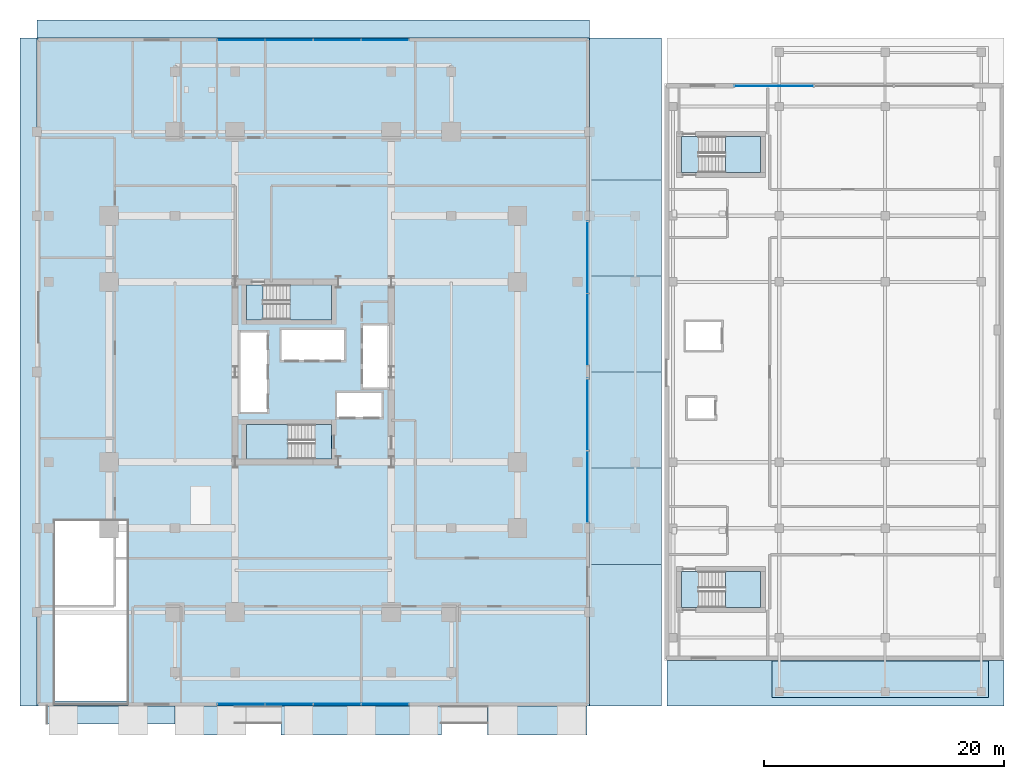
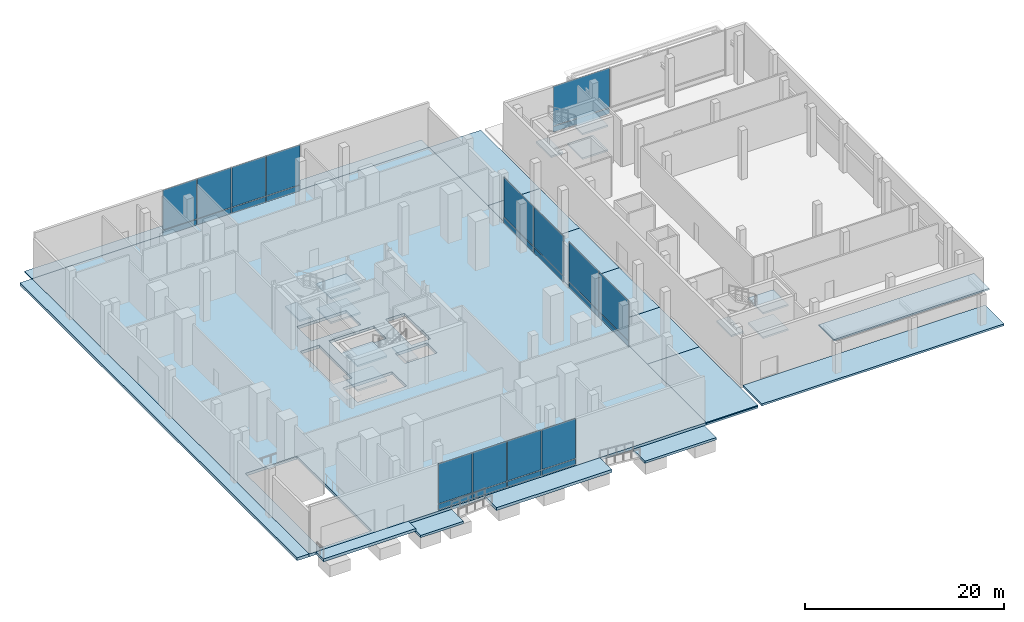
# One storey, part 23 of 34: 28 slabs, 26 plates, 9 elements without a shape of their own.
"""IFC4 building model written with IfcOpenShell, lengths in metres."""

from ifc_helpers import new_model, si_unit, direction, frame, origin, origin_2d, place, context, subcontext, project, spatial, polyline, rectangle, outline, extrude, material, layer, layer_set, type_object, element, aggregate, save


model = new_model("IFC4")

# Units and contexts
model_context = context("Model", 3, precision=1e-05, world=origin(), true_north=direction((0.0, 1.0)))
body_context = subcontext(model_context, "Body", "Model", "MODEL_VIEW")
ifc_project = project(units=[si_unit("LENGTHUNIT", "METRE"), si_unit("AREAUNIT", "SQUARE_METRE"), si_unit("VOLUMEUNIT", "CUBIC_METRE"), si_unit("PLANEANGLEUNIT", "RADIAN"), si_unit("MASSUNIT", "GRAM", prefix="KILO")], contexts=[model_context])

# Site, building, storey
site_placement = place(None, origin())
site = spatial("IfcSite", under=ifc_project, at=site_placement, CompositionType="ELEMENT")
building_placement = place(site_placement, origin())
building = spatial("IfcBuilding", under=site, at=building_placement, Name="Barlavira Tower and Art Museum", CompositionType="ELEMENT")
storey_placement = place(building_placement, origin())
storey = spatial("IfcBuildingStorey", under=building, at=storey_placement, Name="L00", CompositionType="ELEMENT", Elevation=0.0)

# Slab
ifc_material_1 = material(Name="Concrete C50", Category="concrete")
ifc_layer_1 = layer(ifc_material_1, 0.239990234375, Name="Concrete C50")
ifc_layer_set_1 = layer_set([ifc_layer_1], Name="Concrete C50")
slab_type_1 = type_object("IfcSlabType", Name="Cascading Garden and Lookout Terrace Slab 240 Concrete C50", PredefinedType="FLOOR", material=ifc_layer_set_1)
slab_1_placement = place(storey_placement, frame((0.0, 0.0, -0.239990234375)))
element("IfcSlab", 1, at=slab_1_placement, inside=storey, type_object=slab_type_1, Name="L00 Museum South Sculpture Terrace Slab", PredefinedType="FLOOR", context=body_context, shape_type="SweptSolid", body=[
    extrude(outline(polyline([(29.449951171875, -27.800048828125), (57.5, -27.800048828125), (57.5, -24.0), (29.449951171875, -24.0), (29.449951171875, -27.800048828125)])), origin(), (0.0, 0.0, 1.0), 0.239990234375),
])

# Curtain wall, plates
ifc_material_2 = material(Name="Low-iron coastal laminated glass", Category="glass")
ifc_layer_2 = layer(ifc_material_2, 0.219970703125, Name="Low-iron coastal laminated glass")
ifc_layer_set_2 = layer_set([ifc_layer_2], Name="Low-iron coastal laminated glass")
curtain_wall_type_1 = type_object("IfcCurtainWallType", Name="Double-Height Podium Arcade Storefront Curtain Wall", PredefinedType="NOTDEFINED", material=ifc_layer_set_2)
curtain_wall_1_placement = place(storey_placement, origin())
curtain_wall_1 = element("IfcCurtainWall", 2, at=curtain_wall_1_placement, inside=storey, type_object=curtain_wall_type_1, Name="L00 Curtain Wall CW5-L00-ES", PredefinedType="NOTDEFINED")
ifc_material_3 = material(Name="Pale anodised aluminium", Category="aluminium")
ifc_layer_3 = layer(ifc_material_3, 0.044921875, Name="Pale anodised aluminium")
ifc_layer_set_3 = layer_set([ifc_layer_3], Name="Pale anodised aluminium")
plate_type_1 = type_object("IfcPlateType", Name="Curtain Wall Pale-Metal Spandrel Panel 45", PredefinedType="CURTAIN_PANEL", material=ifc_layer_set_3)
plate_1_placement = place(storey_placement, frame((22.85009765625, -9.56005859375, 0.0400390625), z_axis=(0.0, 0.0, 1.0), x_axis=(0.0, 1.0, 0.0)))
plate_1 = element("IfcPlate", 3, at=plate_1_placement, type_object=plate_type_1, Name="CW5-L00-ES Spandrel Panel 0", PredefinedType="CURTAIN_PANEL", context=body_context, shape_type="SweptSolid", body=[
    extrude(rectangle(XDim=5.93994140625, YDim=0.044921875, at=origin_2d()), origin(), (0.0, 0.0, 1.0), 0.669921875),
])
plate_2_placement = place(storey_placement, frame((22.85009765625, -3.52001953125, 0.0400390625), z_axis=(0.0, 0.0, 1.0), x_axis=(0.0, 1.0, 0.0)))
plate_2 = element("IfcPlate", 4, at=plate_2_placement, type_object=plate_type_1, Name="CW5-L00-ES Spandrel Panel 1", PredefinedType="CURTAIN_PANEL", context=body_context, shape_type="SweptSolid", body=[
    extrude(rectangle(XDim=5.93994140625, YDim=0.044921875, at=origin_2d()), origin(), (0.0, 0.0, 1.0), 0.669921875),
])

curtain_wall_2_placement = place(storey_placement, origin())
curtain_wall_2 = element("IfcCurtainWall", 5, at=curtain_wall_2_placement, inside=storey, type_object=curtain_wall_type_1, Name="L00 Curtain Wall CW5-L00-EN", PredefinedType="NOTDEFINED")
plate_3_placement = place(storey_placement, frame((22.85009765625, 3.52001953125, 0.0400390625), z_axis=(0.0, 0.0, 1.0), x_axis=(0.0, 1.0, 0.0)))
plate_3 = element("IfcPlate", 6, at=plate_3_placement, type_object=plate_type_1, Name="CW5-L00-EN Spandrel Panel 0", PredefinedType="CURTAIN_PANEL", context=body_context, shape_type="SweptSolid", body=[
    extrude(rectangle(XDim=5.93994140625, YDim=0.044921875, at=origin_2d()), origin(), (0.0, 0.0, 1.0), 0.669921875),
])
plate_4_placement = place(storey_placement, frame((22.85009765625, 9.56005859375, 0.0400390625), z_axis=(0.0, 0.0, 1.0), x_axis=(0.0, 1.0, 0.0)))
plate_4 = element("IfcPlate", 7, at=plate_4_placement, type_object=plate_type_1, Name="CW5-L00-EN Spandrel Panel 1", PredefinedType="CURTAIN_PANEL", context=body_context, shape_type="SweptSolid", body=[
    extrude(rectangle(XDim=5.93994140625, YDim=0.044921875, at=origin_2d()), origin(), (0.0, 0.0, 1.0), 0.669921875),
])

ifc_layer_4 = layer(ifc_material_2, 0.179931640625, Name="Low-iron coastal laminated glass")
ifc_layer_set_4 = layer_set([ifc_layer_4], Name="Low-iron coastal laminated glass")
curtain_wall_type_2 = type_object("IfcCurtainWallType", Name="Pale-Metal Unitised Curtain Wall Zone 1", PredefinedType="NOTDEFINED", material=ifc_layer_set_4)
curtain_wall_3_placement = place(storey_placement, origin())
curtain_wall_3 = element("IfcCurtainWall", 8, at=curtain_wall_3_placement, inside=storey, type_object=curtain_wall_type_2, Name="L00 Curtain Wall CW1-L00-S", PredefinedType="NOTDEFINED")
plate_5_placement = place(storey_placement, frame((-6.0, -27.64990234375, 0.0400390625), z_axis=(0.0, 0.0, 1.0), x_axis=(1.0, 0.0, 0.0)))
plate_5 = element("IfcPlate", 9, at=plate_5_placement, type_object=plate_type_1, Name="CW1-L00-S Spandrel Panel 0", PredefinedType="CURTAIN_PANEL", context=body_context, shape_type="SweptSolid", body=[
    extrude(rectangle(XDim=3.89990234375, YDim=0.044921875, at=origin_2d()), origin(), (0.0, 0.0, 1.0), 0.669921875),
])
plate_6_placement = place(storey_placement, frame((-2.0, -27.64990234375, 0.0400390625), z_axis=(0.0, 0.0, 1.0), x_axis=(1.0, 0.0, 0.0)))
plate_6 = element("IfcPlate", 10, at=plate_6_placement, type_object=plate_type_1, Name="CW1-L00-S Spandrel Panel 1", PredefinedType="CURTAIN_PANEL", context=body_context, shape_type="SweptSolid", body=[
    extrude(rectangle(XDim=3.89990234375, YDim=0.044921875, at=origin_2d()), origin(), (0.0, 0.0, 1.0), 0.669921875),
])
plate_7_placement = place(storey_placement, frame((2.0, -27.64990234375, 0.0400390625), z_axis=(0.0, 0.0, 1.0), x_axis=(1.0, 0.0, 0.0)))
plate_7 = element("IfcPlate", 11, at=plate_7_placement, type_object=plate_type_1, Name="CW1-L00-S Spandrel Panel 2", PredefinedType="CURTAIN_PANEL", context=body_context, shape_type="SweptSolid", body=[
    extrude(rectangle(XDim=3.89990234375, YDim=0.044921875, at=origin_2d()), origin(), (0.0, 0.0, 1.0), 0.669921875),
])
plate_8_placement = place(storey_placement, frame((6.0, -27.64990234375, 0.0400390625), z_axis=(0.0, 0.0, 1.0), x_axis=(1.0, 0.0, 0.0)))
plate_8 = element("IfcPlate", 12, at=plate_8_placement, type_object=plate_type_1, Name="CW1-L00-S Spandrel Panel 3", PredefinedType="CURTAIN_PANEL", context=body_context, shape_type="SweptSolid", body=[
    extrude(rectangle(XDim=3.89990234375, YDim=0.044921875, at=origin_2d()), origin(), (0.0, 0.0, 1.0), 0.669921875),
])

curtain_wall_4_placement = place(storey_placement, origin())
curtain_wall_4 = element("IfcCurtainWall", 13, at=curtain_wall_4_placement, inside=storey, type_object=curtain_wall_type_2, Name="L00 Curtain Wall CW1-L00-N", PredefinedType="NOTDEFINED")
plate_9_placement = place(storey_placement, frame((6.0, 27.64990234375, 0.0400390625), z_axis=(0.0, 0.0, 1.0), x_axis=(-1.0, 0.0, 0.0)))
plate_9 = element("IfcPlate", 14, at=plate_9_placement, type_object=plate_type_1, Name="CW1-L00-N Spandrel Panel 0", PredefinedType="CURTAIN_PANEL", context=body_context, shape_type="SweptSolid", body=[
    extrude(rectangle(XDim=3.89990234375, YDim=0.044921875, at=origin_2d()), origin(), (0.0, 0.0, 1.0), 0.669921875),
])
plate_10_placement = place(storey_placement, frame((2.0, 27.64990234375, 0.0400390625), z_axis=(0.0, 0.0, 1.0), x_axis=(-1.0, 0.0, 0.0)))
plate_10 = element("IfcPlate", 15, at=plate_10_placement, type_object=plate_type_1, Name="CW1-L00-N Spandrel Panel 1", PredefinedType="CURTAIN_PANEL", context=body_context, shape_type="SweptSolid", body=[
    extrude(rectangle(XDim=3.89990234375, YDim=0.044921875, at=origin_2d()), origin(), (0.0, 0.0, 1.0), 0.669921875),
])
plate_11_placement = place(storey_placement, frame((-2.0, 27.64990234375, 0.0400390625), z_axis=(0.0, 0.0, 1.0), x_axis=(-1.0, 0.0, 0.0)))
plate_11 = element("IfcPlate", 16, at=plate_11_placement, type_object=plate_type_1, Name="CW1-L00-N Spandrel Panel 2", PredefinedType="CURTAIN_PANEL", context=body_context, shape_type="SweptSolid", body=[
    extrude(rectangle(XDim=3.89990234375, YDim=0.044921875, at=origin_2d()), origin(), (0.0, 0.0, 1.0), 0.669921875),
])
plate_12_placement = place(storey_placement, frame((-6.0, 27.64990234375, 0.0400390625), z_axis=(0.0, 0.0, 1.0), x_axis=(-1.0, 0.0, 0.0)))
plate_12 = element("IfcPlate", 17, at=plate_12_placement, type_object=plate_type_1, Name="CW1-L00-N Spandrel Panel 3", PredefinedType="CURTAIN_PANEL", context=body_context, shape_type="SweptSolid", body=[
    extrude(rectangle(XDim=3.89990234375, YDim=0.044921875, at=origin_2d()), origin(), (0.0, 0.0, 1.0), 0.669921875),
])

# Curtain wall, plate
ifc_layer_5 = layer(ifc_material_2, 0.199951171875, Name="Low-iron coastal laminated glass")
ifc_layer_set_5 = layer_set([ifc_layer_5], Name="Low-iron coastal laminated glass")
curtain_wall_type_3 = type_object("IfcCurtainWallType", Name="Coastal Art Museum North-Light Curtain Wall", PredefinedType="NOTDEFINED", material=ifc_layer_set_5)
curtain_wall_5_placement = place(storey_placement, origin())
curtain_wall_5 = element("IfcCurtainWall", 18, at=curtain_wall_5_placement, inside=storey, type_object=curtain_wall_type_3, Name="L00 Curtain Wall CW6-MUS-L00-N", PredefinedType="NOTDEFINED")
plate_13_placement = place(storey_placement, frame((38.333251953125, 23.824951171875, 0.0400390625), z_axis=(0.0, 0.0, 1.0), x_axis=(-1.0, 0.0, 0.0)))
plate_13 = element("IfcPlate", 19, at=plate_13_placement, type_object=plate_type_1, Name="CW6-MUS-L00-N Spandrel Panel 2", PredefinedType="CURTAIN_PANEL", context=body_context, shape_type="SweptSolid", body=[
    extrude(rectangle(XDim=6.566650390625, YDim=0.044921875, at=origin_2d()), origin(), (0.0, 0.0, 1.0), 0.669921875),
])

# Plate
ifc_layer_6 = layer(ifc_material_2, 0.028076171875, Name="Low-iron coastal laminated glass")
ifc_layer_set_6 = layer_set([ifc_layer_6], Name="Low-iron coastal laminated glass")
plate_type_2 = type_object("IfcPlateType", Name="Curtain Wall Vision Glazing Panel 28", PredefinedType="CURTAIN_PANEL", material=ifc_layer_set_6)
plate_14_placement = place(storey_placement, frame((22.85009765625, -9.56005859375, 0.7900390625), z_axis=(0.0, 0.0, 1.0), x_axis=(0.0, 1.0, 0.0)))
plate_14 = element("IfcPlate", 20, at=plate_14_placement, type_object=plate_type_2, Name="CW5-L00-ES Vision Glass Panel 0", PredefinedType="CURTAIN_PANEL", context=body_context, shape_type="SweptSolid", body=[
    extrude(rectangle(XDim=5.93994140625, YDim=0.028076171875, at=origin_2d()), origin(), (0.0, 0.0, 1.0), 4.889892578125),
])

plate_15_placement = place(storey_placement, frame((22.85009765625, -3.52001953125, 0.7900390625), z_axis=(0.0, 0.0, 1.0), x_axis=(0.0, 1.0, 0.0)))
plate_15 = element("IfcPlate", 21, at=plate_15_placement, type_object=plate_type_2, Name="CW5-L00-ES Vision Glass Panel 1", PredefinedType="CURTAIN_PANEL", context=body_context, shape_type="SweptSolid", body=[
    extrude(rectangle(XDim=5.93994140625, YDim=0.028076171875, at=origin_2d()), origin(), (0.0, 0.0, 1.0), 4.889892578125),
])

aggregate(curtain_wall_1, [plate_1, plate_14, plate_2, plate_15])

plate_16_placement = place(storey_placement, frame((22.85009765625, 3.52001953125, 0.7900390625), z_axis=(0.0, 0.0, 1.0), x_axis=(0.0, 1.0, 0.0)))
plate_16 = element("IfcPlate", 22, at=plate_16_placement, type_object=plate_type_2, Name="CW5-L00-EN Vision Glass Panel 0", PredefinedType="CURTAIN_PANEL", context=body_context, shape_type="SweptSolid", body=[
    extrude(rectangle(XDim=5.93994140625, YDim=0.028076171875, at=origin_2d()), origin(), (0.0, 0.0, 1.0), 4.889892578125),
])

plate_17_placement = place(storey_placement, frame((22.85009765625, 9.56005859375, 0.7900390625), z_axis=(0.0, 0.0, 1.0), x_axis=(0.0, 1.0, 0.0)))
plate_17 = element("IfcPlate", 23, at=plate_17_placement, type_object=plate_type_2, Name="CW5-L00-EN Vision Glass Panel 1", PredefinedType="CURTAIN_PANEL", context=body_context, shape_type="SweptSolid", body=[
    extrude(rectangle(XDim=5.93994140625, YDim=0.028076171875, at=origin_2d()), origin(), (0.0, 0.0, 1.0), 4.889892578125),
])

aggregate(curtain_wall_2, [plate_3, plate_16, plate_4, plate_17])

plate_18_placement = place(storey_placement, frame((-6.0, -27.64990234375, 0.7900390625), z_axis=(0.0, 0.0, 1.0), x_axis=(1.0, 0.0, 0.0)))
plate_18 = element("IfcPlate", 24, at=plate_18_placement, type_object=plate_type_2, Name="CW1-L00-S Vision Glass Panel 0", PredefinedType="CURTAIN_PANEL", context=body_context, shape_type="SweptSolid", body=[
    extrude(rectangle(XDim=3.89990234375, YDim=0.028076171875, at=origin_2d()), origin(), (0.0, 0.0, 1.0), 4.889892578125),
])

plate_19_placement = place(storey_placement, frame((-2.0, -27.64990234375, 0.7900390625), z_axis=(0.0, 0.0, 1.0), x_axis=(1.0, 0.0, 0.0)))
plate_19 = element("IfcPlate", 25, at=plate_19_placement, type_object=plate_type_2, Name="CW1-L00-S Vision Glass Panel 1", PredefinedType="CURTAIN_PANEL", context=body_context, shape_type="SweptSolid", body=[
    extrude(rectangle(XDim=3.89990234375, YDim=0.028076171875, at=origin_2d()), origin(), (0.0, 0.0, 1.0), 4.889892578125),
])

plate_20_placement = place(storey_placement, frame((2.0, -27.64990234375, 0.7900390625), z_axis=(0.0, 0.0, 1.0), x_axis=(1.0, 0.0, 0.0)))
plate_20 = element("IfcPlate", 26, at=plate_20_placement, type_object=plate_type_2, Name="CW1-L00-S Vision Glass Panel 2", PredefinedType="CURTAIN_PANEL", context=body_context, shape_type="SweptSolid", body=[
    extrude(rectangle(XDim=3.89990234375, YDim=0.028076171875, at=origin_2d()), origin(), (0.0, 0.0, 1.0), 4.889892578125),
])

plate_21_placement = place(storey_placement, frame((6.0, -27.64990234375, 0.7900390625), z_axis=(0.0, 0.0, 1.0), x_axis=(1.0, 0.0, 0.0)))
plate_21 = element("IfcPlate", 27, at=plate_21_placement, type_object=plate_type_2, Name="CW1-L00-S Vision Glass Panel 3", PredefinedType="CURTAIN_PANEL", context=body_context, shape_type="SweptSolid", body=[
    extrude(rectangle(XDim=3.89990234375, YDim=0.028076171875, at=origin_2d()), origin(), (0.0, 0.0, 1.0), 4.889892578125),
])

aggregate(curtain_wall_3, [plate_5, plate_18, plate_6, plate_19, plate_7, plate_20, plate_8, plate_21])

plate_22_placement = place(storey_placement, frame((6.0, 27.64990234375, 0.7900390625), z_axis=(0.0, 0.0, 1.0), x_axis=(-1.0, 0.0, 0.0)))
plate_22 = element("IfcPlate", 28, at=plate_22_placement, type_object=plate_type_2, Name="CW1-L00-N Vision Glass Panel 0", PredefinedType="CURTAIN_PANEL", context=body_context, shape_type="SweptSolid", body=[
    extrude(rectangle(XDim=3.89990234375, YDim=0.028076171875, at=origin_2d()), origin(), (0.0, 0.0, 1.0), 4.889892578125),
])

plate_23_placement = place(storey_placement, frame((2.0, 27.64990234375, 0.7900390625), z_axis=(0.0, 0.0, 1.0), x_axis=(-1.0, 0.0, 0.0)))
plate_23 = element("IfcPlate", 29, at=plate_23_placement, type_object=plate_type_2, Name="CW1-L00-N Vision Glass Panel 1", PredefinedType="CURTAIN_PANEL", context=body_context, shape_type="SweptSolid", body=[
    extrude(rectangle(XDim=3.89990234375, YDim=0.028076171875, at=origin_2d()), origin(), (0.0, 0.0, 1.0), 4.889892578125),
])

plate_24_placement = place(storey_placement, frame((-2.0, 27.64990234375, 0.7900390625), z_axis=(0.0, 0.0, 1.0), x_axis=(-1.0, 0.0, 0.0)))
plate_24 = element("IfcPlate", 30, at=plate_24_placement, type_object=plate_type_2, Name="CW1-L00-N Vision Glass Panel 2", PredefinedType="CURTAIN_PANEL", context=body_context, shape_type="SweptSolid", body=[
    extrude(rectangle(XDim=3.89990234375, YDim=0.028076171875, at=origin_2d()), origin(), (0.0, 0.0, 1.0), 4.889892578125),
])

plate_25_placement = place(storey_placement, frame((-6.0, 27.64990234375, 0.7900390625), z_axis=(0.0, 0.0, 1.0), x_axis=(-1.0, 0.0, 0.0)))
plate_25 = element("IfcPlate", 31, at=plate_25_placement, type_object=plate_type_2, Name="CW1-L00-N Vision Glass Panel 3", PredefinedType="CURTAIN_PANEL", context=body_context, shape_type="SweptSolid", body=[
    extrude(rectangle(XDim=3.89990234375, YDim=0.028076171875, at=origin_2d()), origin(), (0.0, 0.0, 1.0), 4.889892578125),
])

aggregate(curtain_wall_4, [plate_9, plate_22, plate_10, plate_23, plate_11, plate_24, plate_12, plate_25])

plate_26_placement = place(storey_placement, frame((38.333251953125, 23.824951171875, 0.7900390625), z_axis=(0.0, 0.0, 1.0), x_axis=(-1.0, 0.0, 0.0)))
plate_26 = element("IfcPlate", 32, at=plate_26_placement, type_object=plate_type_2, Name="CW6-MUS-L00-N Vision Glass Panel 2", PredefinedType="CURTAIN_PANEL", context=body_context, shape_type="SweptSolid", body=[
    extrude(rectangle(XDim=6.566650390625, YDim=0.028076171875, at=origin_2d()), origin(), (0.0, 0.0, 1.0), 4.85009765625),
])

aggregate(curtain_wall_5, [plate_13, plate_26])

# Slabs
ifc_layer_7 = layer(ifc_material_1, 0.35009765625, Name="Concrete C50")
ifc_layer_set_7 = layer_set([ifc_layer_7], Name="Concrete C50")
slab_type_2 = type_object("IfcSlabType", Name="Ground Entrance and Loading Deck Slab 350 Concrete C50", PredefinedType="FLOOR", material=ifc_layer_set_7)
slab_2_placement = place(storey_placement, frame((0.0, 0.0, -0.35009765625)))
element("IfcSlab", 33, at=slab_2_placement, inside=storey, type_object=slab_type_2, Name="L00 Tower Podium Indoor Floor Slab", PredefinedType="FLOOR", context=body_context, shape_type="SweptSolid", body=[
    extrude(outline(polyline([(-23.0, -27.800048828125), (23.0, -27.800048828125), (23.0, 27.800048828125), (-23.0, 27.800048828125), (-23.0, -27.800048828125)]), holes=[polyline([(0.14990234375, -4.35009765625), (-5.550048828125, -4.35009765625), (-5.550048828125, -7.25), (0.14990234375, -7.25), (0.14990234375, -4.35009765625)]), polyline([(-4.169921875, 4.35009765625), (1.530029296875, 4.35009765625), (1.530029296875, 7.25), (-4.169921875, 7.25), (-4.169921875, 4.35009765625)]), polyline([(-6.050048828125, -3.31005859375), (-3.85009765625, -3.31005859375), (-3.85009765625, 3.31005859375), (-6.050048828125, 3.31005859375), (-6.050048828125, -3.31005859375)]), polyline([(4.14990234375, -1.2900390625), (6.35009765625, -1.2900390625), (6.35009765625, 3.889892578125), (4.14990234375, 3.889892578125), (4.14990234375, -1.2900390625)]), polyline([(-2.6201171875, 1.0), (2.56005859375, 1.0), (2.56005859375, 3.5), (-2.6201171875, 3.5), (-2.6201171875, 1.0)]), polyline([(2.0, -3.75), (5.699951171875, -3.75), (5.699951171875, -1.75), (2.0, -1.75), (2.0, -3.75)]), polyline([(-21.5, -27.39990234375), (-15.5, -27.39990234375), (-15.5, -12.39990234375), (-21.5, -12.39990234375), (-21.5, -27.39990234375)])]), origin(), (0.0, 0.0, 1.0), 0.35009765625),
])
slab_3_placement = place(storey_placement, frame((0.0, 0.0, -0.35009765625)))
element("IfcSlab", 34, at=slab_3_placement, inside=storey, type_object=slab_type_2, Name="L00 Arcade Structural Sub-Slab", PredefinedType="FLOOR", context=body_context, shape_type="SweptSolid", body=[
    extrude(outline(polyline([(23.0, -27.800048828125), (29.0, -27.800048828125), (29.0, 27.800048828125), (23.0, 27.800048828125), (23.0, -27.800048828125)])), origin(), (0.0, 0.0, 1.0), 0.22998046875),
])
slab_4_placement = place(storey_placement, frame((0.0, 0.0, -0.35009765625)))
element("IfcSlab", 35, at=slab_4_placement, inside=storey, type_object=slab_type_2, Name="L00 South-West Ramp & Exit Apron Slab", PredefinedType="FLOOR", context=body_context, shape_type="SweptSolid", body=[
    extrude(outline(polyline([(-22.199951171875, -29.300048828125), (-11.5, -29.300048828125), (-11.5, -27.800048828125), (-22.199951171875, -27.800048828125), (-22.199951171875, -29.300048828125)])), origin(), (0.0, 0.0, 1.0), 0.35009765625),
])
slab_5_placement = place(storey_placement, frame((0.0, 0.0, -0.35009765625)))
element("IfcSlab", 36, at=slab_5_placement, inside=storey, type_object=slab_type_2, Name="L00 South Central Upper Landing Slab", PredefinedType="FLOOR", context=body_context, shape_type="SweptSolid", body=[
    extrude(outline(polyline([(-2.679931640625, -30.199951171875), (10.679931640625, -30.199951171875), (10.679931640625, -27.800048828125), (-2.679931640625, -27.800048828125), (-2.679931640625, -30.199951171875)])), origin(), (0.0, 0.0, 1.0), 0.35009765625),
])
slab_6_placement = place(storey_placement, frame((0.0, 0.0, -0.35009765625)))
element("IfcSlab", 37, at=slab_6_placement, inside=storey, type_object=slab_type_2, Name="L00 West Loading Structural Apron Slab", PredefinedType="FLOOR", context=body_context, shape_type="SweptSolid", body=[
    extrude(outline(polyline([(-24.39990234375, -27.800048828125), (-23.0, -27.800048828125), (-23.0, 27.800048828125), (-24.39990234375, 27.800048828125), (-24.39990234375, -27.800048828125)])), origin(), (0.0, 0.0, 1.0), 0.35009765625),
])
slab_7_placement = place(storey_placement, frame((0.0, 0.0, -0.60009765625)))
element("IfcSlab", 38, at=slab_7_placement, inside=storey, type_object=slab_type_2, Name="L00 South-West Lower Plaza Landing Slab", PredefinedType="FLOOR", context=body_context, shape_type="SweptSolid", body=[
    extrude(outline(polyline([(-11.47998046875, -30.199951171875), (-6.5, -30.199951171875), (-6.5, -27.800048828125), (-11.47998046875, -27.800048828125), (-11.47998046875, -30.199951171875)])), origin(), (0.0, 0.0, 1.0), 0.280029296875),
])
slab_8_placement = place(storey_placement, frame((0.0, 0.0, -0.60009765625)))
element("IfcSlab", 39, at=slab_8_placement, inside=storey, type_object=slab_type_2, Name="L00 South-East Lower Plaza Landing Slab", PredefinedType="FLOOR", context=body_context, shape_type="SweptSolid", body=[
    extrude(outline(polyline([(14.5, -30.199951171875), (22.800048828125, -30.199951171875), (22.800048828125, -27.800048828125), (14.5, -27.800048828125), (14.5, -30.199951171875)])), origin(), (0.0, 0.0, 1.0), 0.280029296875),
])

# Stair, slabs
ifc_material_4 = material(Name="Concrete C45", Category="concrete")
stair_type_1 = type_object("IfcStairType", Name="Museum North Dog-Leg Exit Stair Assembly Concrete C45", PredefinedType="TWO_QUARTER_TURN_STAIR", material=ifc_material_4)
stair_1_placement = place(storey_placement, origin())
stair_1 = element("IfcStair", 40, at=stair_1_placement, inside=storey, type_object=stair_type_1, Name="L00 Museum North Exit Stair ST-M2", PredefinedType="TWO_QUARTER_TURN_STAIR")
ifc_layer_8 = layer(ifc_material_4, 0.199951171875, Name="Concrete C45")
ifc_layer_set_8 = layer_set([ifc_layer_8], Name="Concrete C45")
slab_type_3 = type_object("IfcSlabType", Name="Museum North Dog-Leg Exit Stair Half-Landing Slab 200 Concrete C45", PredefinedType="LANDING", material=ifc_layer_set_8)
slab_9_placement = place(storey_placement, frame((0.0, 0.0, 1.300048828125)))
slab_9 = element("IfcSlab", 41, at=slab_9_placement, type_object=slab_type_3, Name="ST-M2 landing 1", PredefinedType="LANDING", context=body_context, shape_type="SweptSolid", body=[
    extrude(outline(polyline([(34.31005859375, 16.60009765625), (37.25, 16.60009765625), (37.25, 19.60009765625), (34.31005859375, 19.60009765625), (34.31005859375, 16.60009765625)])), origin(), (0.0, 0.0, 1.0), 0.199951171875),
])
slab_10_placement = place(storey_placement, frame((0.0, 0.0, 2.800048828125)))
slab_10 = element("IfcSlab", 42, at=slab_10_placement, type_object=slab_type_3, Name="ST-M2 landing 2", PredefinedType="LANDING", context=body_context, shape_type="SweptSolid", body=[
    extrude(outline(polyline([(30.64990234375, 16.60009765625), (32.070068359375, 16.60009765625), (32.070068359375, 19.60009765625), (30.64990234375, 19.60009765625), (30.64990234375, 16.60009765625)])), origin(), (0.0, 0.0, 1.0), 0.199951171875),
])
slab_11_placement = place(storey_placement, frame((0.0, 0.0, 4.300048828125)))
slab_11 = element("IfcSlab", 43, at=slab_11_placement, type_object=slab_type_3, Name="ST-M2 landing 3", PredefinedType="LANDING", context=body_context, shape_type="SweptSolid", body=[
    extrude(outline(polyline([(34.31005859375, 16.60009765625), (37.25, 16.60009765625), (37.25, 19.60009765625), (34.31005859375, 19.60009765625), (34.31005859375, 16.60009765625)])), origin(), (0.0, 0.0, 1.0), 0.199951171875),
])
aggregate(stair_1, [slab_9, slab_10, slab_11])

stair_type_2 = type_object("IfcStairType", Name="Museum South Dog-Leg Exit Stair Assembly Concrete C45", PredefinedType="TWO_QUARTER_TURN_STAIR", material=ifc_material_4)
stair_2_placement = place(storey_placement, origin())
stair_2 = element("IfcStair", 44, at=stair_2_placement, inside=storey, type_object=stair_type_2, Name="L00 Museum South Exit Stair ST-M1", PredefinedType="TWO_QUARTER_TURN_STAIR")
ifc_layer_9 = layer(ifc_material_4, 0.199951171875, Name="Concrete C45")
ifc_layer_set_9 = layer_set([ifc_layer_9], Name="Concrete C45")
slab_type_4 = type_object("IfcSlabType", Name="Museum South Dog-Leg Exit Stair Half-Landing Slab 200 Concrete C45", PredefinedType="LANDING", material=ifc_layer_set_9)
slab_12_placement = place(storey_placement, frame((0.0, 0.0, 1.300048828125)))
slab_12 = element("IfcSlab", 45, at=slab_12_placement, type_object=slab_type_4, Name="ST-M1 landing 1", PredefinedType="LANDING", context=body_context, shape_type="SweptSolid", body=[
    extrude(outline(polyline([(34.31005859375, -19.60009765625), (37.25, -19.60009765625), (37.25, -16.60009765625), (34.31005859375, -16.60009765625), (34.31005859375, -19.60009765625)])), origin(), (0.0, 0.0, 1.0), 0.199951171875),
])
slab_13_placement = place(storey_placement, frame((0.0, 0.0, 2.800048828125)))
slab_13 = element("IfcSlab", 46, at=slab_13_placement, type_object=slab_type_4, Name="ST-M1 landing 2", PredefinedType="LANDING", context=body_context, shape_type="SweptSolid", body=[
    extrude(outline(polyline([(30.64990234375, -19.60009765625), (32.070068359375, -19.60009765625), (32.070068359375, -16.60009765625), (30.64990234375, -16.60009765625), (30.64990234375, -19.60009765625)])), origin(), (0.0, 0.0, 1.0), 0.199951171875),
])
slab_14_placement = place(storey_placement, frame((0.0, 0.0, 4.300048828125)))
slab_14 = element("IfcSlab", 47, at=slab_14_placement, type_object=slab_type_4, Name="ST-M1 landing 3", PredefinedType="LANDING", context=body_context, shape_type="SweptSolid", body=[
    extrude(outline(polyline([(34.31005859375, -19.60009765625), (37.25, -19.60009765625), (37.25, -16.60009765625), (34.31005859375, -16.60009765625), (34.31005859375, -19.60009765625)])), origin(), (0.0, 0.0, 1.0), 0.199951171875),
])
aggregate(stair_2, [slab_12, slab_13, slab_14])

# Slabs
ifc_material_5 = material(Name="Catarinense coastal granite", Category="masonry")
ifc_layer_10 = layer(ifc_material_5, 0.1201171875, Name="Catarinense coastal granite")
ifc_layer_set_10 = layer_set([ifc_layer_10], Name="Catarinense coastal granite")
slab_type_5 = type_object("IfcSlabType", Name="Public Arcade Coastal Granite Paving Slab 120", PredefinedType="USERDEFINED", material=ifc_layer_set_10)
slab_15_placement = place(storey_placement, frame((0.0, 0.0, -0.1201171875)))
element("IfcSlab", 48, at=slab_15_placement, inside=storey, type_object=slab_type_5, Name="L00 Covered Arcade Paving Slab 1", ObjectType="PAVING", PredefinedType="USERDEFINED", context=body_context, shape_type="SweptSolid", body=[
    extrude(outline(polyline([(23.0, -27.800048828125), (29.0, -27.800048828125), (29.0, -16.0), (23.0, -16.0), (23.0, -27.800048828125)])), origin(), (0.0, 0.0, 1.0), 0.1201171875),
])
slab_16_placement = place(storey_placement, frame((0.0, 0.0, -0.1201171875)))
element("IfcSlab", 49, at=slab_16_placement, inside=storey, type_object=slab_type_5, Name="L00 Covered Arcade Paving Slab 2", ObjectType="PAVING", PredefinedType="USERDEFINED", context=body_context, shape_type="SweptSolid", body=[
    extrude(outline(polyline([(23.0, -16.0), (29.0, -16.0), (29.0, -8.0), (23.0, -8.0), (23.0, -16.0)])), origin(), (0.0, 0.0, 1.0), 0.1201171875),
])
slab_17_placement = place(storey_placement, frame((0.0, 0.0, -0.1201171875)))
element("IfcSlab", 50, at=slab_17_placement, inside=storey, type_object=slab_type_5, Name="L00 Covered Arcade Paving Slab 3", ObjectType="PAVING", PredefinedType="USERDEFINED", context=body_context, shape_type="SweptSolid", body=[
    extrude(outline(polyline([(23.0, -8.0), (29.0, -8.0), (29.0, 0.0), (23.0, 0.0), (23.0, -8.0)])), origin(), (0.0, 0.0, 1.0), 0.1201171875),
])
slab_18_placement = place(storey_placement, frame((0.0, 0.0, -0.1201171875)))
element("IfcSlab", 51, at=slab_18_placement, inside=storey, type_object=slab_type_5, Name="L00 Covered Arcade Paving Slab 4", ObjectType="PAVING", PredefinedType="USERDEFINED", context=body_context, shape_type="SweptSolid", body=[
    extrude(outline(polyline([(23.0, 0.0), (29.0, 0.0), (29.0, 8.0), (23.0, 8.0), (23.0, 0.0)])), origin(), (0.0, 0.0, 1.0), 0.1201171875),
])
slab_19_placement = place(storey_placement, frame((0.0, 0.0, -0.1201171875)))
element("IfcSlab", 52, at=slab_19_placement, inside=storey, type_object=slab_type_5, Name="L00 Covered Arcade Paving Slab 5", ObjectType="PAVING", PredefinedType="USERDEFINED", context=body_context, shape_type="SweptSolid", body=[
    extrude(outline(polyline([(23.0, 8.0), (29.0, 8.0), (29.0, 16.0), (23.0, 16.0), (23.0, 8.0)])), origin(), (0.0, 0.0, 1.0), 0.1201171875),
])
slab_20_placement = place(storey_placement, frame((0.0, 0.0, -0.1201171875)))
element("IfcSlab", 53, at=slab_20_placement, inside=storey, type_object=slab_type_5, Name="L00 Covered Arcade Paving Slab 6", ObjectType="PAVING", PredefinedType="USERDEFINED", context=body_context, shape_type="SweptSolid", body=[
    extrude(outline(polyline([(23.0, 16.0), (29.0, 16.0), (29.0, 27.800048828125), (23.0, 27.800048828125), (23.0, 16.0)])), origin(), (0.0, 0.0, 1.0), 0.1201171875),
])
slab_21_placement = place(storey_placement, frame((0.0, 0.0, -0.1201171875)))
element("IfcSlab", 54, at=slab_21_placement, inside=storey, type_object=slab_type_5, Name="L00 North Street Grade Apron Paving", ObjectType="PAVING", PredefinedType="USERDEFINED", context=body_context, shape_type="SweptSolid", body=[
    extrude(outline(polyline([(-23.0, 27.800048828125), (23.0, 27.800048828125), (23.0, 29.300048828125), (-23.0, 29.300048828125), (-23.0, 27.800048828125)])), origin(), (0.0, 0.0, 1.0), 0.1201171875),
])
ifc_material_6 = material(Name="Pale anodised steel S355", Category="steel")
ifc_layer_11 = layer(ifc_material_6, 0.179931640625, Name="Pale anodised steel S355")
ifc_layer_set_11 = layer_set([ifc_layer_11], Name="Pale anodised steel S355")
slab_type_6 = type_object("IfcSlabType", Name="Sloped Pale-Metal Lookout Canopy Roof 180 Steel S355", PredefinedType="ROOF", material=ifc_layer_set_11)
slab_22_placement = place(storey_placement, frame((0.0, 0.0, 4.199951171875)))
element("IfcSlab", 55, at=slab_22_placement, inside=storey, type_object=slab_type_6, Name="L00 South Sculpture Plinth Pergola Canopy", PredefinedType="ROOF", context=body_context, shape_type="SweptSolid", body=[
    extrude(outline(polyline([(38.199951171875, -27.10009765625), (56.199951171875, -27.10009765625), (56.199951171875, -24.050048828125), (38.199951171875, -24.050048828125), (38.199951171875, -27.10009765625)])), origin(), (0.0, 0.0, 1.0), 0.179931640625),
])

# Stair, slabs
stair_type_3 = type_object("IfcStairType", Name="Tower North Dog-Leg Exit Stair Assembly Concrete C45", PredefinedType="TWO_QUARTER_TURN_STAIR", material=ifc_material_4)
stair_3_placement = place(storey_placement, origin())
stair_3 = element("IfcStair", 56, at=stair_3_placement, inside=storey, type_object=stair_type_3, Name="L00 Tower North Exit Stair ST-T2", PredefinedType="TWO_QUARTER_TURN_STAIR")
ifc_layer_12 = layer(ifc_material_4, 0.199951171875, Name="Concrete C45")
ifc_layer_set_12 = layer_set([ifc_layer_12], Name="Concrete C45")
slab_type_7 = type_object("IfcSlabType", Name="Tower North Dog-Leg Exit Stair Half-Landing Slab 200 Concrete C45", PredefinedType="LANDING", material=ifc_layer_set_12)
slab_23_placement = place(storey_placement, frame((0.0, 0.0, 1.300048828125)))
slab_23 = element("IfcSlab", 57, at=slab_23_placement, type_object=slab_type_7, Name="ST-T2 landing 1", PredefinedType="LANDING", context=body_context, shape_type="SweptSolid", body=[
    extrude(outline(polyline([(-1.929931640625, 4.35009765625), (1.530029296875, 4.35009765625), (1.530029296875, 7.25), (-1.929931640625, 7.25), (-1.929931640625, 4.35009765625)])), origin(), (0.0, 0.0, 1.0), 0.199951171875),
])
slab_24_placement = place(storey_placement, frame((0.0, 0.0, 2.800048828125)))
slab_24 = element("IfcSlab", 58, at=slab_24_placement, type_object=slab_type_7, Name="ST-T2 landing 2", PredefinedType="LANDING", context=body_context, shape_type="SweptSolid", body=[
    extrude(outline(polyline([(-5.550048828125, 4.35009765625), (-4.169921875, 4.35009765625), (-4.169921875, 7.25), (-5.550048828125, 7.25), (-5.550048828125, 4.35009765625)])), origin(), (0.0, 0.0, 1.0), 0.199951171875),
])
slab_25_placement = place(storey_placement, frame((0.0, 0.0, 4.300048828125)))
slab_25 = element("IfcSlab", 59, at=slab_25_placement, type_object=slab_type_7, Name="ST-T2 landing 3", PredefinedType="LANDING", context=body_context, shape_type="SweptSolid", body=[
    extrude(outline(polyline([(-1.929931640625, 4.35009765625), (1.530029296875, 4.35009765625), (1.530029296875, 7.25), (-1.929931640625, 7.25), (-1.929931640625, 4.35009765625)])), origin(), (0.0, 0.0, 1.0), 0.199951171875),
])
aggregate(stair_3, [slab_23, slab_24, slab_25])

stair_type_4 = type_object("IfcStairType", Name="Tower South Dog-Leg Exit Stair Assembly Concrete C45", PredefinedType="TWO_QUARTER_TURN_STAIR", material=ifc_material_4)
stair_4_placement = place(storey_placement, origin())
stair_4 = element("IfcStair", 60, at=stair_4_placement, inside=storey, type_object=stair_type_4, Name="L00 Tower South Exit Stair ST-T1", PredefinedType="TWO_QUARTER_TURN_STAIR")
ifc_layer_13 = layer(ifc_material_4, 0.199951171875, Name="Concrete C45")
ifc_layer_set_13 = layer_set([ifc_layer_13], Name="Concrete C45")
slab_type_8 = type_object("IfcSlabType", Name="Tower South Dog-Leg Exit Stair Half-Landing Slab 200 Concrete C45", PredefinedType="LANDING", material=ifc_layer_set_13)
slab_26_placement = place(storey_placement, frame((0.0, 0.0, 1.300048828125)))
slab_26 = element("IfcSlab", 61, at=slab_26_placement, type_object=slab_type_8, Name="ST-T1 landing 1", PredefinedType="LANDING", context=body_context, shape_type="SweptSolid", body=[
    extrude(outline(polyline([(-2.090087890625, -4.35009765625), (-5.550048828125, -4.35009765625), (-5.550048828125, -7.25), (-2.090087890625, -7.25), (-2.090087890625, -4.35009765625)])), origin(), (0.0, 0.0, 1.0), 0.199951171875),
])
slab_27_placement = place(storey_placement, frame((0.0, 0.0, 2.800048828125)))
slab_27 = element("IfcSlab", 62, at=slab_27_placement, type_object=slab_type_8, Name="ST-T1 landing 2", PredefinedType="LANDING", context=body_context, shape_type="SweptSolid", body=[
    extrude(outline(polyline([(1.530029296875, -4.35009765625), (0.14990234375, -4.35009765625), (0.14990234375, -7.25), (1.530029296875, -7.25), (1.530029296875, -4.35009765625)])), origin(), (0.0, 0.0, 1.0), 0.199951171875),
])
slab_28_placement = place(storey_placement, frame((0.0, 0.0, 4.300048828125)))
slab_28 = element("IfcSlab", 63, at=slab_28_placement, type_object=slab_type_8, Name="ST-T1 landing 3", PredefinedType="LANDING", context=body_context, shape_type="SweptSolid", body=[
    extrude(outline(polyline([(-2.090087890625, -4.35009765625), (-5.550048828125, -4.35009765625), (-5.550048828125, -7.25), (-2.090087890625, -7.25), (-2.090087890625, -4.35009765625)])), origin(), (0.0, 0.0, 1.0), 0.199951171875),
])
aggregate(stair_4, [slab_26, slab_27, slab_28])

save(model, "model.ifc")
